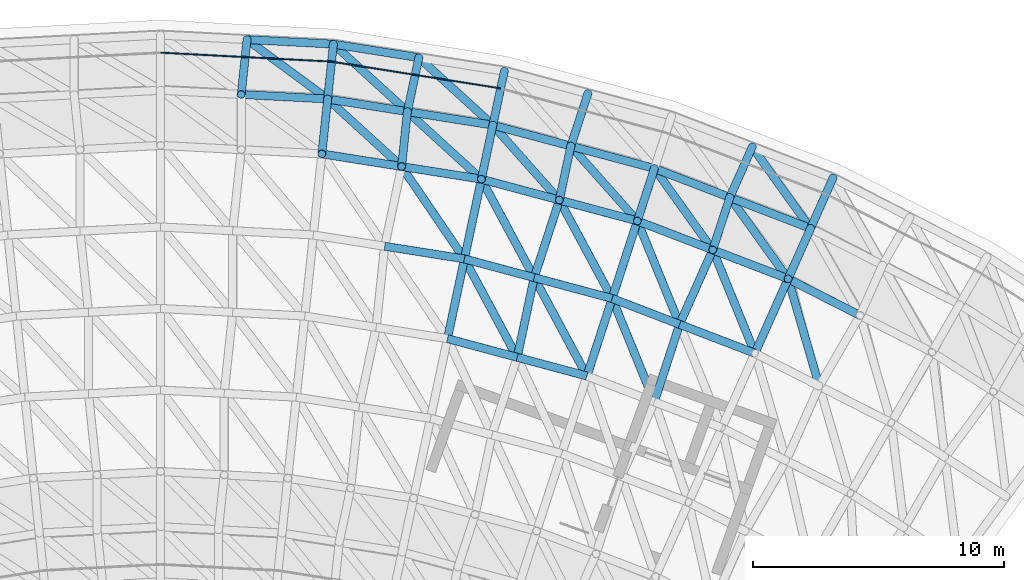
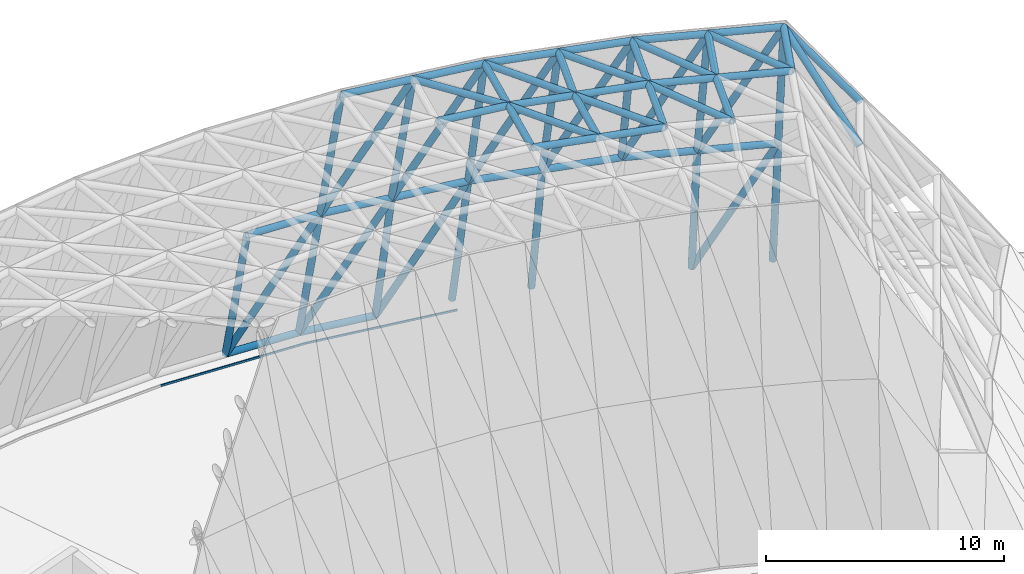
# One storey, part 9 of 20: 67 members.
"""IFC4 building model written with IfcOpenShell, lengths in metres."""

from ifc_helpers import new_model, si_unit, direction, frame, origin, origin_2d, place, context, subcontext, project, spatial, rectangle, hollow_circle, extrude, material, material_profile, profile_set, type_object, element, save


model = new_model("IFC4")

# Units and contexts
model_context = context("Model", 3, precision=1e-05, world=origin(), true_north=direction((0.0, 1.0)))
body_context = subcontext(model_context, "Body", "Model", "MODEL_VIEW")
ifc_project = project(units=[si_unit("LENGTHUNIT", "METRE"), si_unit("AREAUNIT", "SQUARE_METRE"), si_unit("VOLUMEUNIT", "CUBIC_METRE"), si_unit("PLANEANGLEUNIT", "RADIAN"), si_unit("MASSUNIT", "GRAM", prefix="KILO")], contexts=[model_context])

# Site, building, storey
site_placement = place(None, origin())
site = spatial("IfcSite", under=ifc_project, at=site_placement, CompositionType="ELEMENT")
building_placement = place(site_placement, origin())
building = spatial("IfcBuilding", under=site, at=building_placement, Name="Stone Belt Terrace Tower", CompositionType="ELEMENT")
storey_placement = place(building_placement, frame((0.0, 0.0, 337.39990234375)))
storey = spatial("IfcBuildingStorey", under=building, at=storey_placement, Name="RF", CompositionType="ELEMENT", Elevation=337.39990234375)

# Members
ifc_material_1 = material(Name="Structural steel C345", Category="steel")
ifc_material_profile_1 = material_profile(ifc_material_1, hollow_circle(Radius=0.16259765625, WallThickness=0.011962890625, at=origin_2d()), Name="Structural steel C345 CHS 325x12")
ifc_profile_set_1 = profile_set([ifc_material_profile_1], Name="Structural steel C345")
member_type_1 = type_object("IfcMemberType", Name="Crown frame tube CHS 325 x 12", PredefinedType="RAFTER", material=ifc_profile_set_1)
member_1_placement = place(storey_placement, frame((3.444091796875, 65.71875, 0.16259765625), z_axis=(-0.029393544043, -0.279879016602, 0.959585199779), x_axis=(0.99453036095, -0.104447887238, 0.0)))
element("IfcMember", 1, at=member_1_placement, inside=storey, type_object=member_type_1, Name="CROWN FRAME rafter 326", PredefinedType="RAFTER", context=body_context, shape_type="SweptSolid", body=[
    extrude(hollow_circle(Radius=0.16259765625, WallThickness=0.011962890625, at=origin_2d()), origin(), (0.0, 0.0, 1.0), 7.81591796875),
])
member_2_placement = place(storey_placement, frame((3.444091796875, 65.71875, 0.16259765625), z_axis=(0.378315846813, -0.278722749057, 0.882717819695), x_axis=(0.593148975652, 0.805092723034, 0.0)))
element("IfcMember", 2, at=member_2_placement, inside=storey, type_object=member_type_1, Name="CROWN FRAME rafter 328", PredefinedType="RAFTER", context=body_context, shape_type="SweptSolid", body=[
    extrude(hollow_circle(Radius=0.16259765625, WallThickness=0.011962890625, at=origin_2d()), origin(), (0.0, 0.0, 1.0), 8.49658203125),
])
member_3_placement = place(storey_placement, frame((6.888427734375, 65.5380859375, 0.16259765625), z_axis=(-0.029424753509, -0.279878759495, 0.959584318267), x_axis=(0.994518825066, -0.104557671117, 0.0)))
element("IfcMember", 3, at=member_3_placement, inside=storey, type_object=member_type_1, Name="CROWN FRAME rafter 332", PredefinedType="RAFTER", context=body_context, shape_type="SweptSolid", body=[
    extrude(hollow_circle(Radius=0.16259765625, WallThickness=0.011962890625, at=origin_2d()), origin(), (0.0, 0.0, 1.0), 7.81591796875),
])
member_4_placement = place(storey_placement, frame((6.888427734375, 65.5380859375, 0.16259765625), z_axis=(0.347088368747, -0.316715622181, 0.882734885992), x_axis=(0.674047474307, 0.738688027777, 0.0)))
element("IfcMember", 4, at=member_4_placement, inside=storey, type_object=member_type_1, Name="CROWN FRAME rafter 334", PredefinedType="RAFTER", context=body_context, shape_type="SweptSolid", body=[
    extrude(hollow_circle(Radius=0.16259765625, WallThickness=0.011962890625, at=origin_2d()), origin(), (0.0, 0.0, 1.0), 8.496337890625),
])
member_5_placement = place(storey_placement, frame((6.658447265625, 63.3505859375, 7.66259765625), z_axis=(-0.029424753509, -0.279878759495, 0.959584318267), x_axis=(0.994518825066, -0.104557671117, 0.0)))
element("IfcMember", 5, at=member_5_placement, inside=storey, type_object=member_type_1, Name="CROWN FRAME rafter 335", PredefinedType="RAFTER", context=body_context, shape_type="SweptSolid", body=[
    extrude(hollow_circle(Radius=0.16259765625, WallThickness=0.011962890625, at=origin_2d()), origin(), (0.0, 0.0, 1.0), 7.81591796875),
])
member_6_placement = place(storey_placement, frame((6.658447265625, 63.3505859375, 7.66259765625), z_axis=(0.347088368747, -0.316715622181, 0.882734885992), x_axis=(0.674047474307, 0.738688027777, 0.0)))
element("IfcMember", 6, at=member_6_placement, inside=storey, type_object=member_type_1, Name="CROWN FRAME rafter 337", PredefinedType="RAFTER", context=body_context, shape_type="SweptSolid", body=[
    extrude(hollow_circle(Radius=0.16259765625, WallThickness=0.011962890625, at=origin_2d()), origin(), (0.0, 0.0, 1.0), 8.496337890625),
])
member_7_placement = place(storey_placement, frame((10.294677734375, 64.99853515625, 0.16259765625), z_axis=(-0.058506176763, -0.275257036644, 0.959588761428), x_axis=(0.978148693799, -0.207906548285, 0.0)))
element("IfcMember", 7, at=member_7_placement, inside=storey, type_object=member_type_1, Name="CROWN FRAME rafter 376", PredefinedType="RAFTER", context=body_context, shape_type="SweptSolid", body=[
    extrude(hollow_circle(Radius=0.16259765625, WallThickness=0.011962890625, at=origin_2d()), origin(), (0.0, 0.0, 1.0), 7.81591796875),
])
member_8_placement = place(storey_placement, frame((10.294677734375, 64.99853515625, 0.16259765625), z_axis=(0.34711364153, -0.316712463323, 0.882726081771), x_axis=(0.674017025507, 0.738715810935, 0.0)))
element("IfcMember", 8, at=member_8_placement, inside=storey, type_object=member_type_1, Name="CROWN FRAME rafter 378", PredefinedType="RAFTER", context=body_context, shape_type="SweptSolid", body=[
    extrude(hollow_circle(Radius=0.16259765625, WallThickness=0.011962890625, at=origin_2d()), origin(), (0.0, 0.0, 1.0), 8.496337890625),
])
member_9_placement = place(storey_placement, frame((9.83740234375, 62.84716796875, 7.66259765625), z_axis=(0.347110482488, -0.316738315271, 0.882718048182), x_axis=(0.674050394139, 0.73868536344, 0.0)))
element("IfcMember", 9, at=member_9_placement, inside=storey, type_object=member_type_1, Name="CROWN FRAME rafter 380", PredefinedType="RAFTER", context=body_context, shape_type="SweptSolid", body=[
    extrude(hollow_circle(Radius=0.16259765625, WallThickness=0.011962890625, at=origin_2d()), origin(), (0.0, 0.0, 1.0), 8.49658203125),
])
for number, where, z_axis, x_axis, name in (
    (10, (9.83740234375, 62.84716796875, 7.66259765625), (-0.029424753509, -0.279878759495, 0.959584318267), (0.994518825066, -0.104557671117, 0.0), "CROWN FRAME rafter 381"),
    (11, (13.701171875, 64.459228515625, 0.16259765625), (-0.058505673699, -0.275285906198, 0.959580510428), (0.978153491089, -0.207883976944, 0.0), "CROWN FRAME rafter 382"),
    (12, (13.243896484375, 62.3076171875, 7.66259765625), (-0.058505673699, -0.275285906198, 0.959580510428), (0.978153491089, -0.207883976944, 0.0), "CROWN FRAME rafter 385"),
):
    element("IfcMember", number, at=place(storey_placement, frame(where, z_axis=z_axis, x_axis=x_axis)), inside=storey, type_object=member_type_1, Name=name, PredefinedType="RAFTER", context=body_context, shape_type="SweptSolid", body=[
        extrude(hollow_circle(Radius=0.16259765625, WallThickness=0.011962890625, at=origin_2d()), origin(), (0.0, 0.0, 1.0), 7.81591796875),
    ])
member_10_placement = place(storey_placement, frame((13.243896484375, 62.3076171875, 7.66259765625), z_axis=(0.312086060245, -0.351280000598, 0.882725694755), x_axis=(0.747581362269, 0.664170239313, 0.0)))
element("IfcMember", 13, at=member_10_placement, inside=storey, type_object=member_type_1, Name="CROWN FRAME rafter 387", PredefinedType="RAFTER", context=body_context, shape_type="SweptSolid", body=[
    extrude(hollow_circle(Radius=0.16259765625, WallThickness=0.011962890625, at=origin_2d()), origin(), (0.0, 0.0, 1.0), 8.496337890625),
])
member_11_placement = place(storey_placement, frame((17.032470703125, 63.56640625, 0.16259765625), z_axis=(-0.086962654841, -0.267635067053, 0.959587915486), x_axis=(0.951053644102, -0.309025833938, 0.0)))
element("IfcMember", 14, at=member_11_placement, inside=storey, type_object=member_type_1, Name="CROWN FRAME rafter 426", PredefinedType="RAFTER", context=body_context, shape_type="SweptSolid", body=[
    extrude(hollow_circle(Radius=0.16259765625, WallThickness=0.011962890625, at=origin_2d()), origin(), (0.0, 0.0, 1.0), 7.81591796875),
])
member_12_placement = place(storey_placement, frame((16.352783203125, 61.474609375, 7.66259765625), z_axis=(0.312111995776, -0.351276850337, 0.882717778517), x_axis=(0.747550999525, 0.664204413648, 0.0)))
element("IfcMember", 15, at=member_12_placement, inside=storey, type_object=member_type_1, Name="CROWN FRAME rafter 430", PredefinedType="RAFTER", context=body_context, shape_type="SweptSolid", body=[
    extrude(hollow_circle(Radius=0.16259765625, WallThickness=0.011962890625, at=origin_2d()), origin(), (0.0, 0.0, 1.0), 8.49658203125),
])
for number, where, z_axis, x_axis, name in (
    (16, (16.352783203125, 61.474609375, 7.66259765625), (-0.058505673699, -0.275285906198, 0.959580510428), (0.978153491089, -0.207883976944, 0.0), "CROWN FRAME rafter 431"),
    (17, (19.684326171875, 60.581787109375, 7.66259765625), (-0.086962654841, -0.267635067053, 0.959587915486), (0.951053644102, -0.309025833938, 0.0), "CROWN FRAME rafter 435"),
):
    element("IfcMember", number, at=place(storey_placement, frame(where, z_axis=z_axis, x_axis=x_axis)), inside=storey, type_object=member_type_1, Name=name, PredefinedType="RAFTER", context=body_context, shape_type="SweptSolid", body=[
        extrude(hollow_circle(Radius=0.16259765625, WallThickness=0.011962890625, at=origin_2d()), origin(), (0.0, 0.0, 1.0), 7.81591796875),
    ])
member_13_placement = place(storey_placement, frame((19.684326171875, 60.581787109375, 7.66259765625), z_axis=(0.273668124866, -0.381968750928, 0.882726249042), x_axis=(0.812893849535, 0.582411872637, 0.0)))
element("IfcMember", 18, at=member_13_placement, inside=storey, type_object=member_type_1, Name="CROWN FRAME rafter 437", PredefinedType="RAFTER", context=body_context, shape_type="SweptSolid", body=[
    extrude(hollow_circle(Radius=0.16259765625, WallThickness=0.011962890625, at=origin_2d()), origin(), (0.0, 0.0, 1.0), 8.496337890625),
])
member_14_placement = place(storey_placement, frame((23.583740234375, 61.43798828125, 0.16259765625), z_axis=(-0.114450125757, -0.257106709908, 0.959581840405), x_axis=(0.913573388708, -0.406673903077, 0.0)))
element("IfcMember", 19, at=member_14_placement, inside=storey, type_object=member_type_1, Name="CROWN FRAME rafter 476", PredefinedType="RAFTER", context=body_context, shape_type="SweptSolid", body=[
    extrude(hollow_circle(Radius=0.16259765625, WallThickness=0.011962890625, at=origin_2d()), origin(), (0.0, 0.0, 1.0), 7.81591796875),
])
member_15_placement = place(storey_placement, frame((23.583740234375, 61.43798828125, 0.16259765625), z_axis=(0.2736651211, -0.381993292724, 0.882716560288), x_axis=(0.812914590974, 0.582382921952, 0.0)))
element("IfcMember", 20, at=member_15_placement, inside=storey, type_object=member_type_1, Name="CROWN FRAME rafter 478", PredefinedType="RAFTER", context=body_context, shape_type="SweptSolid", body=[
    extrude(hollow_circle(Radius=0.16259765625, WallThickness=0.011962890625, at=origin_2d()), origin(), (0.0, 0.0, 1.0), 8.49658203125),
])
member_16_placement = place(storey_placement, frame((22.689208984375, 59.428466796875, 7.66259765625), z_axis=(0.273668124866, -0.381968750928, 0.882726249042), x_axis=(0.812893849535, 0.582411872637, 0.0)))
element("IfcMember", 21, at=member_16_placement, inside=storey, type_object=member_type_1, Name="CROWN FRAME rafter 480", PredefinedType="RAFTER", context=body_context, shape_type="SweptSolid", body=[
    extrude(hollow_circle(Radius=0.16259765625, WallThickness=0.011962890625, at=origin_2d()), origin(), (0.0, 0.0, 1.0), 8.496337890625),
])
for number, where, z_axis, x_axis, name in (
    (22, (22.689208984375, 59.428466796875, 7.66259765625), (-0.086961927799, -0.267664065845, 0.959579892958), (0.951064242649, -0.30899321409, 0.0), "CROWN FRAME rafter 481"),
    (23, (26.8037109375, 60.201904296875, 0.16259765625), (-0.114480952819, -0.257105790629, 0.959578409442), (0.913532149489, -0.406766532363, 0.0), "CROWN FRAME rafter 482"),
    (24, (25.908935546875, 58.1923828125, 7.66259765625), (-0.114451044871, -0.257077538014, 0.959589546513), (0.913555029688, -0.406715143229, 0.0), "CROWN FRAME rafter 485"),
):
    element("IfcMember", number, at=place(storey_placement, frame(where, z_axis=z_axis, x_axis=x_axis)), inside=storey, type_object=member_type_1, Name=name, PredefinedType="RAFTER", context=body_context, shape_type="SweptSolid", body=[
        extrude(hollow_circle(Radius=0.16259765625, WallThickness=0.011962890625, at=origin_2d()), origin(), (0.0, 0.0, 1.0), 7.81591796875),
    ])
member_17_placement = place(storey_placement, frame((25.014404296875, 56.18310546875, 15.16259765625), z_axis=(0.563600975612, -0.287198045459, -0.774513539568), x_axis=(0.454026902189, 0.890987975277, 0.0)))
element("IfcMember", 25, at=member_17_placement, inside=storey, type_object=member_type_1, Name="CROWN FRAME rafter 490", PredefinedType="RAFTER", context=body_context, shape_type="SweptSolid", body=[
    extrude(hollow_circle(Radius=0.16259765625, WallThickness=0.011962890625, at=origin_2d()), origin(), (0.0, 0.0, 1.0), 5.088623046875),
])
member_18_placement = place(storey_placement, frame((25.014404296875, 56.18310546875, 15.16259765625), z_axis=(0.208978126982, -0.719065405886, -0.662776798403), x_axis=(0.96026852438, 0.279077697219, 0.0)))
element("IfcMember", 26, at=member_18_placement, inside=storey, type_object=member_type_1, Name="CROWN FRAME rafter 491", PredefinedType="RAFTER", context=body_context, shape_type="SweptSolid", body=[
    extrude(hollow_circle(Radius=0.16259765625, WallThickness=0.011962890625, at=origin_2d()), origin(), (0.0, 0.0, 1.0), 5.946533203125),
])
ifc_material_profile_2 = material_profile(ifc_material_1, hollow_circle(Radius=0.16259765625, WallThickness=0.011962890625, at=origin_2d()), Name="Structural steel C345 CHS 325x12")
ifc_profile_set_2 = profile_set([ifc_material_profile_2], Name="Structural steel C345")
member_type_2 = type_object("IfcMemberType", Name="Crown ring and ridge tube CHS 325 x 12", PredefinedType="CHORD", material=ifc_profile_set_2)
member_19_placement = place(storey_placement, frame((3.444091796875, 65.71875, 0.16259765625), z_axis=(0.998627199195, -0.052380502368, 0.0), x_axis=(0.052380502368, 0.998627199195, 0.0)))
element("IfcMember", 27, at=member_19_placement, inside=storey, type_object=member_type_2, Name="CROWN FRAME ring beam 327", PredefinedType="CHORD", context=body_context, shape_type="SweptSolid", body=[
    extrude(hollow_circle(Radius=0.16259765625, WallThickness=0.011962890625, at=origin_2d()), origin(), (0.0, 0.0, 1.0), 3.448974609375),
])
for number, where, z_axis, x_axis, name in (
    (28, (3.21435546875, 63.53125, 7.66259765625), (0.998627004962, -0.052384205265, 0.0), (0.052384205265, 0.998627004962, 0.0), "CROWN FRAME cap beam 329"),
    (29, (6.888427734375, 65.5380859375, 0.16259765625), (0.987685930979, -0.156449678001, 0.0), (0.156449678001, 0.987685930979, 0.0), "CROWN FRAME ring beam 333"),
):
    element("IfcMember", number, at=place(storey_placement, frame(where, z_axis=z_axis, x_axis=x_axis)), inside=storey, type_object=member_type_2, Name=name, PredefinedType="CHORD", context=body_context, shape_type="SweptSolid", body=[
        extrude(hollow_circle(Radius=0.16259765625, WallThickness=0.011962890625, at=origin_2d()), origin(), (0.0, 0.0, 1.0), 3.44873046875),
    ])
for number, where, z_axis, x_axis, name in (
    (30, (6.658447265625, 63.3505859375, 7.66259765625), (0.987692135228, -0.156410504788, 0.0), (0.156410504788, 0.987692135228, 0.0), "CROWN FRAME cap beam 336"),
    (31, (6.428466796875, 61.1630859375, 15.16259765625), (0.987692135228, -0.156410504788, 0.0), (0.156410504788, 0.987692135228, 0.0), "CROWN FRAME cap beam 340"),
):
    element("IfcMember", number, at=place(storey_placement, frame(where, z_axis=z_axis, x_axis=x_axis)), inside=storey, type_object=member_type_2, Name=name, PredefinedType="CHORD", context=body_context, shape_type="SweptSolid", body=[
        extrude(hollow_circle(Radius=0.16259765625, WallThickness=0.011962890625, at=origin_2d()), origin(), (0.0, 0.0, 1.0), 3.218505859375),
    ])
member_20_placement = place(storey_placement, frame((9.83740234375, 62.84716796875, 7.66259765625), z_axis=(0.987687663531, -0.156438739798, 0.0), x_axis=(0.156438739798, 0.987687663531, 0.0)))
element("IfcMember", 32, at=member_20_placement, inside=storey, type_object=member_type_2, Name="CROWN FRAME cap beam 379", PredefinedType="CHORD", context=body_context, shape_type="SweptSolid", body=[
    extrude(hollow_circle(Radius=0.16259765625, WallThickness=0.011962890625, at=origin_2d()), origin(), (0.0, 0.0, 1.0), 3.448974609375),
])
member_21_placement = place(storey_placement, frame((13.243896484375, 62.3076171875, 7.66259765625), z_axis=(0.96592705922, -0.258814443699, 0.0), x_axis=(0.258814443699, 0.96592705922, 0.0)))
element("IfcMember", 33, at=member_21_placement, inside=storey, type_object=member_type_2, Name="CROWN FRAME cap beam 386", PredefinedType="CHORD", context=body_context, shape_type="SweptSolid", body=[
    extrude(hollow_circle(Radius=0.16259765625, WallThickness=0.011962890625, at=origin_2d()), origin(), (0.0, 0.0, 1.0), 3.218505859375),
])
member_22_placement = place(storey_placement, frame((12.78662109375, 60.156005859375, 15.16259765625), z_axis=(-0.987682271522, 0.156472778847, 0.0), x_axis=(-0.156472778847, -0.987682271522, 0.0)))
element("IfcMember", 34, at=member_22_placement, inside=storey, type_object=member_type_2, Name="CROWN FRAME cap beam 388", PredefinedType="CHORD", context=body_context, shape_type="SweptSolid", body=[
    extrude(hollow_circle(Radius=0.16259765625, WallThickness=0.011962890625, at=origin_2d()), origin(), (0.0, 0.0, 1.0), 3.21875),
])
member_23_placement = place(storey_placement, frame((12.78662109375, 60.156005859375, 15.16259765625), z_axis=(-0.207933325345, -0.978143001923, 0.0), x_axis=(0.978143001923, -0.207933325345, 0.0)))
element("IfcMember", 35, at=member_23_placement, inside=storey, type_object=member_type_2, Name="CROWN FRAME cap beam 389", PredefinedType="CHORD", context=body_context, shape_type="SweptSolid", body=[
    extrude(hollow_circle(Radius=0.16259765625, WallThickness=0.011962890625, at=origin_2d()), origin(), (0.0, 0.0, 1.0), 3.25),
])
member_24_placement = place(storey_placement, frame((12.78662109375, 60.156005859375, 15.16259765625), z_axis=(0.96592705922, -0.258814443699, 0.0), x_axis=(0.258814443699, 0.96592705922, 0.0)))
element("IfcMember", 36, at=member_24_placement, inside=storey, type_object=member_type_2, Name="CROWN FRAME cap beam 390", PredefinedType="CHORD", context=body_context, shape_type="SweptSolid", body=[
    extrude(hollow_circle(Radius=0.16259765625, WallThickness=0.011962890625, at=origin_2d()), origin(), (0.0, 0.0, 1.0), 3.218505859375),
])
member_25_placement = place(storey_placement, frame((12.78662109375, 60.156005859375, 15.16259765625), z_axis=(0.472689982521, -0.881228790056, 0.0), x_axis=(0.881228790056, 0.472689982521, 0.0)))
element("IfcMember", 37, at=member_25_placement, inside=storey, type_object=member_type_2, Name="CROWN FRAME cap beam 391", PredefinedType="CHORD", context=body_context, shape_type="SweptSolid", body=[
    extrude(hollow_circle(Radius=0.16259765625, WallThickness=0.011962890625, at=origin_2d()), origin(), (0.0, 0.0, 1.0), 4.45263671875),
])
member_26_placement = place(storey_placement, frame((9.607421875, 60.65966796875, 15.16259765625), z_axis=(0.562193044144, -0.82700603451, 0.0), x_axis=(0.82700603451, 0.562193044144, 0.0)))
element("IfcMember", 38, at=member_26_placement, inside=storey, type_object=member_type_2, Name="CROWN FRAME cap beam 393", PredefinedType="CHORD", context=body_context, shape_type="SweptSolid", body=[
    extrude(hollow_circle(Radius=0.16259765625, WallThickness=0.011962890625, at=origin_2d()), origin(), (0.0, 0.0, 1.0), 4.452880859375),
])
member_27_placement = place(storey_placement, frame((8.931884765625, 57.480712890625, 15.16259765625), z_axis=(0.987680414291, -0.15648450155, 0.0), x_axis=(0.15648450155, 0.987680414291, 0.0)))
element("IfcMember", 39, at=member_27_placement, inside=storey, type_object=member_type_2, Name="CROWN FRAME cap beam 394", PredefinedType="CHORD", context=body_context, shape_type="SweptSolid", body=[
    extrude(hollow_circle(Radius=0.16259765625, WallThickness=0.011962890625, at=origin_2d()), origin(), (0.0, 0.0, 1.0), 3.218505859375),
])
member_28_placement = place(storey_placement, frame((12.11083984375, 56.97705078125, 15.16259765625), z_axis=(-0.207933325345, -0.978143001923, 0.0), x_axis=(0.978143001923, -0.207933325345, 0.0)))
element("IfcMember", 40, at=member_28_placement, inside=storey, type_object=member_type_2, Name="CROWN FRAME cap beam 397", PredefinedType="CHORD", context=body_context, shape_type="SweptSolid", body=[
    extrude(hollow_circle(Radius=0.16259765625, WallThickness=0.011962890625, at=origin_2d()), origin(), (0.0, 0.0, 1.0), 3.25),
])
member_29_placement = place(storey_placement, frame((12.11083984375, 56.97705078125, 15.16259765625), z_axis=(0.965940102155, -0.258765760969, 0.0), x_axis=(0.258765760969, 0.965940102155, 0.0)))
element("IfcMember", 41, at=member_29_placement, inside=storey, type_object=member_type_2, Name="CROWN FRAME cap beam 398", PredefinedType="CHORD", context=body_context, shape_type="SweptSolid", body=[
    extrude(hollow_circle(Radius=0.16259765625, WallThickness=0.011962890625, at=origin_2d()), origin(), (0.0, 0.0, 1.0), 2.878662109375),
])
member_30_placement = place(storey_placement, frame((12.11083984375, 56.97705078125, 15.16259765625), z_axis=(0.472689982521, -0.881228790056, 0.0), x_axis=(0.881228790056, 0.472689982521, 0.0)))
element("IfcMember", 42, at=member_30_placement, inside=storey, type_object=member_type_2, Name="CROWN FRAME cap beam 399", PredefinedType="CHORD", context=body_context, shape_type="SweptSolid", body=[
    extrude(hollow_circle(Radius=0.16259765625, WallThickness=0.011962890625, at=origin_2d()), origin(), (0.0, 0.0, 1.0), 4.45263671875),
])
member_31_placement = place(storey_placement, frame((11.43505859375, 53.798095703125, 15.16259765625), z_axis=(0.965940102155, -0.258765760969, 0.0), x_axis=(0.258765760969, 0.965940102155, 0.0)))
element("IfcMember", 43, at=member_31_placement, inside=storey, type_object=member_type_2, Name="CROWN FRAME cap beam 402", PredefinedType="CHORD", context=body_context, shape_type="SweptSolid", body=[
    extrude(hollow_circle(Radius=0.16259765625, WallThickness=0.011962890625, at=origin_2d()), origin(), (0.0, 0.0, 1.0), 2.878662109375),
])
member_32_placement = place(storey_placement, frame((16.352783203125, 61.474609375, 7.66259765625), z_axis=(0.965915821691, -0.258856379886, 0.0), x_axis=(0.258856379886, 0.965915821691, 0.0)))
element("IfcMember", 44, at=member_32_placement, inside=storey, type_object=member_type_2, Name="CROWN FRAME cap beam 429", PredefinedType="CHORD", context=body_context, shape_type="SweptSolid", body=[
    extrude(hollow_circle(Radius=0.16259765625, WallThickness=0.011962890625, at=origin_2d()), origin(), (0.0, 0.0, 1.0), 3.44921875),
])
member_33_placement = place(storey_placement, frame((19.684326171875, 60.581787109375, 7.66259765625), z_axis=(0.933595615307, -0.358328378836, 0.0), x_axis=(0.358328378836, 0.933595615307, 0.0)))
element("IfcMember", 45, at=member_33_placement, inside=storey, type_object=member_type_2, Name="CROWN FRAME cap beam 436", PredefinedType="CHORD", context=body_context, shape_type="SweptSolid", body=[
    extrude(hollow_circle(Radius=0.16259765625, WallThickness=0.011962890625, at=origin_2d()), origin(), (0.0, 0.0, 1.0), 3.218505859375),
])
member_34_placement = place(storey_placement, frame((19.004638671875, 58.489990234375, 15.16259765625), z_axis=(-0.965932139747, 0.258795481807, 0.0), x_axis=(-0.258795481807, -0.965932139747, 0.0)))
element("IfcMember", 46, at=member_34_placement, inside=storey, type_object=member_type_2, Name="CROWN FRAME cap beam 438", PredefinedType="CHORD", context=body_context, shape_type="SweptSolid", body=[
    extrude(hollow_circle(Radius=0.16259765625, WallThickness=0.011962890625, at=origin_2d()), origin(), (0.0, 0.0, 1.0), 3.21875),
])
member_35_placement = place(storey_placement, frame((19.004638671875, 58.489990234375, 15.16259765625), z_axis=(-0.309030020915, -0.951052283617, 0.0), x_axis=(0.951052283617, -0.309030020915, 0.0)))
element("IfcMember", 47, at=member_35_placement, inside=storey, type_object=member_type_2, Name="CROWN FRAME cap beam 439", PredefinedType="CHORD", context=body_context, shape_type="SweptSolid", body=[
    extrude(hollow_circle(Radius=0.16259765625, WallThickness=0.011962890625, at=origin_2d()), origin(), (0.0, 0.0, 1.0), 3.250244140625),
])
member_36_placement = place(storey_placement, frame((19.004638671875, 58.489990234375, 15.16259765625), z_axis=(0.933570238348, -0.358394489454, 0.0), x_axis=(0.358394489454, 0.933570238348, 0.0)))
element("IfcMember", 48, at=member_36_placement, inside=storey, type_object=member_type_2, Name="CROWN FRAME cap beam 440", PredefinedType="CHORD", context=body_context, shape_type="SweptSolid", body=[
    extrude(hollow_circle(Radius=0.16259765625, WallThickness=0.011962890625, at=origin_2d()), origin(), (0.0, 0.0, 1.0), 3.21875),
])
member_37_placement = place(storey_placement, frame((19.004638671875, 58.489990234375, 15.16259765625), z_axis=(0.377932485894, -0.925833157813, 0.0), x_axis=(0.925833157813, 0.377932485894, 0.0)))
element("IfcMember", 49, at=member_37_placement, inside=storey, type_object=member_type_2, Name="CROWN FRAME cap beam 441", PredefinedType="CHORD", context=body_context, shape_type="SweptSolid", body=[
    extrude(hollow_circle(Radius=0.16259765625, WallThickness=0.011962890625, at=origin_2d()), origin(), (0.0, 0.0, 1.0), 4.452880859375),
])
member_38_placement = place(storey_placement, frame((15.8955078125, 59.322998046875, 15.16259765625), z_axis=(-0.308984150214, -0.951067187383, 0.0), x_axis=(0.951067187383, -0.308984150214, 0.0)))
element("IfcMember", 50, at=member_38_placement, inside=storey, type_object=member_type_2, Name="CROWN FRAME cap beam 442", PredefinedType="CHORD", context=body_context, shape_type="SweptSolid", body=[
    extrude(hollow_circle(Radius=0.16259765625, WallThickness=0.011962890625, at=origin_2d()), origin(), (0.0, 0.0, 1.0), 3.249755859375),
])
member_39_placement = place(storey_placement, frame((15.8955078125, 59.322998046875, 15.16259765625), z_axis=(0.472667144111, -0.881241040169, 0.0), x_axis=(0.881241040169, 0.472667144111, 0.0)))
element("IfcMember", 51, at=member_39_placement, inside=storey, type_object=member_type_2, Name="CROWN FRAME cap beam 443", PredefinedType="CHORD", context=body_context, shape_type="SweptSolid", body=[
    extrude(hollow_circle(Radius=0.16259765625, WallThickness=0.011962890625, at=origin_2d()), origin(), (0.0, 0.0, 1.0), 4.452880859375),
])
member_40_placement = place(storey_placement, frame((14.891357421875, 56.232177734375, 15.16259765625), z_axis=(0.965908093769, -0.258885214703, 0.0), x_axis=(0.258885214703, 0.965908093769, 0.0)))
element("IfcMember", 52, at=member_40_placement, inside=storey, type_object=member_type_2, Name="CROWN FRAME cap beam 444", PredefinedType="CHORD", context=body_context, shape_type="SweptSolid", body=[
    extrude(hollow_circle(Radius=0.16259765625, WallThickness=0.011962890625, at=origin_2d()), origin(), (0.0, 0.0, 1.0), 3.218505859375),
])
member_41_placement = place(storey_placement, frame((14.891357421875, 56.232177734375, 15.16259765625), z_axis=(0.472624564266, -0.881263877197, 0.0), x_axis=(0.881263877197, 0.472624564266, 0.0)))
element("IfcMember", 53, at=member_41_placement, inside=storey, type_object=member_type_2, Name="CROWN FRAME cap beam 445", PredefinedType="CHORD", context=body_context, shape_type="SweptSolid", body=[
    extrude(hollow_circle(Radius=0.16259765625, WallThickness=0.011962890625, at=origin_2d()), origin(), (0.0, 0.0, 1.0), 4.452880859375),
])
for number, where, z_axis, x_axis, name in (
    (54, (14.891357421875, 56.232177734375, 15.16259765625), (-0.207933325345, -0.978143001923, 0.0), (0.978143001923, -0.207933325345, 0.0), "CROWN FRAME cap beam 446"),
    (55, (18.000244140625, 55.39892578125, 15.16259765625), (-0.309052099479, -0.951045109239, 0.0), (0.951045109239, -0.309052099479, 0.0), "CROWN FRAME cap beam 447"),
):
    element("IfcMember", number, at=place(storey_placement, frame(where, z_axis=z_axis, x_axis=x_axis)), inside=storey, type_object=member_type_2, Name=name, PredefinedType="CHORD", context=body_context, shape_type="SweptSolid", body=[
        extrude(hollow_circle(Radius=0.16259765625, WallThickness=0.011962890625, at=origin_2d()), origin(), (0.0, 0.0, 1.0), 3.25),
    ])
member_42_placement = place(storey_placement, frame((18.000244140625, 55.39892578125, 15.16259765625), z_axis=(0.933585858699, -0.358353797856, 0.0), x_axis=(0.358353797856, 0.933585858699, 0.0)))
element("IfcMember", 56, at=member_42_placement, inside=storey, type_object=member_type_2, Name="CROWN FRAME cap beam 448", PredefinedType="CHORD", context=body_context, shape_type="SweptSolid", body=[
    extrude(hollow_circle(Radius=0.16259765625, WallThickness=0.011962890625, at=origin_2d()), origin(), (0.0, 0.0, 1.0), 2.87841796875),
])
member_43_placement = place(storey_placement, frame((18.000244140625, 55.39892578125, 15.16259765625), z_axis=(0.377951671393, -0.925825325907, 0.0), x_axis=(0.925825325907, 0.377951671393, 0.0)))
element("IfcMember", 57, at=member_43_placement, inside=storey, type_object=member_type_2, Name="CROWN FRAME cap beam 449", PredefinedType="CHORD", context=body_context, shape_type="SweptSolid", body=[
    extrude(hollow_circle(Radius=0.16259765625, WallThickness=0.011962890625, at=origin_2d()), origin(), (0.0, 0.0, 1.0), 4.45263671875),
])
member_44_placement = place(storey_placement, frame((16.995849609375, 52.30810546875, 15.16259765625), z_axis=(-0.965913216943, 0.258866099237, 0.0), x_axis=(-0.258866099237, -0.965913216943, 0.0)))
element("IfcMember", 58, at=member_44_placement, inside=storey, type_object=member_type_2, Name="CROWN FRAME cap beam 450", PredefinedType="CHORD", context=body_context, shape_type="SweptSolid", body=[
    extrude(hollow_circle(Radius=0.16259765625, WallThickness=0.011962890625, at=origin_2d()), origin(), (0.0, 0.0, 1.0), 2.87841796875),
])
member_45_placement = place(storey_placement, frame((22.689208984375, 59.428466796875, 7.66259765625), z_axis=(0.933566189429, -0.358405036175, 0.0), x_axis=(0.358405036175, 0.933566189429, 0.0)))
element("IfcMember", 59, at=member_45_placement, inside=storey, type_object=member_type_2, Name="CROWN FRAME cap beam 479", PredefinedType="CHORD", context=body_context, shape_type="SweptSolid", body=[
    extrude(hollow_circle(Radius=0.16259765625, WallThickness=0.011962890625, at=origin_2d()), origin(), (0.0, 0.0, 1.0), 3.44873046875),
])
member_46_placement = place(storey_placement, frame((25.014404296875, 56.18310546875, 15.16259765625), z_axis=(-0.933595615307, 0.358328378836, 0.0), x_axis=(-0.358328378836, -0.933595615307, 0.0)))
element("IfcMember", 60, at=member_46_placement, inside=storey, type_object=member_type_2, Name="CROWN FRAME cap beam 488", PredefinedType="CHORD", context=body_context, shape_type="SweptSolid", body=[
    extrude(hollow_circle(Radius=0.16259765625, WallThickness=0.011962890625, at=origin_2d()), origin(), (0.0, 0.0, 1.0), 3.218505859375),
])
for number, where, z_axis, x_axis, name in (
    (61, (25.014404296875, 56.18310546875, 15.16259765625), (-0.406772625454, -0.913529436407, 0.0), (0.913529436407, -0.406772625454, 0.0), "CROWN FRAME cap beam 489"),
    (62, (22.009521484375, 57.33642578125, 15.16259765625), (-0.406772625454, -0.913529436407, 0.0), (0.913529436407, -0.406772625454, 0.0), "CROWN FRAME cap beam 492"),
):
    element("IfcMember", number, at=place(storey_placement, frame(where, z_axis=z_axis, x_axis=x_axis)), inside=storey, type_object=member_type_2, Name=name, PredefinedType="CHORD", context=body_context, shape_type="SweptSolid", body=[
        extrude(hollow_circle(Radius=0.16259765625, WallThickness=0.011962890625, at=origin_2d()), origin(), (0.0, 0.0, 1.0), 3.25),
    ])
member_47_placement = place(storey_placement, frame((22.009521484375, 57.33642578125, 15.16259765625), z_axis=(0.377951671393, -0.925825325907, 0.0), x_axis=(0.925825325907, 0.377951671393, 0.0)))
element("IfcMember", 63, at=member_47_placement, inside=storey, type_object=member_type_2, Name="CROWN FRAME cap beam 493", PredefinedType="CHORD", context=body_context, shape_type="SweptSolid", body=[
    extrude(hollow_circle(Radius=0.16259765625, WallThickness=0.011962890625, at=origin_2d()), origin(), (0.0, 0.0, 1.0), 4.45263671875),
])
member_48_placement = place(storey_placement, frame((20.6875, 54.367431640625, 15.16259765625), z_axis=(0.933595615307, -0.358328378836, 0.0), x_axis=(0.358328378836, 0.933595615307, 0.0)))
element("IfcMember", 64, at=member_48_placement, inside=storey, type_object=member_type_2, Name="CROWN FRAME cap beam 494", PredefinedType="CHORD", context=body_context, shape_type="SweptSolid", body=[
    extrude(hollow_circle(Radius=0.16259765625, WallThickness=0.011962890625, at=origin_2d()), origin(), (0.0, 0.0, 1.0), 3.218505859375),
])
member_49_placement = place(storey_placement, frame((20.6875, 54.367431640625, 15.16259765625), z_axis=(-0.309052099479, -0.951045109239, 0.0), x_axis=(0.951045109239, -0.309052099479, 0.0)))
element("IfcMember", 65, at=member_49_placement, inside=storey, type_object=member_type_2, Name="CROWN FRAME cap beam 496", PredefinedType="CHORD", context=body_context, shape_type="SweptSolid", body=[
    extrude(hollow_circle(Radius=0.16259765625, WallThickness=0.011962890625, at=origin_2d()), origin(), (0.0, 0.0, 1.0), 3.25),
])
ifc_material_2 = material(Name="Stainless steel AISI 304", Category="steel")
ifc_material_profile_3 = material_profile(ifc_material_2, rectangle(XDim=0.050048828125, YDim=0.10009765625, at=origin_2d()), Name="Stainless steel AISI 304 100x50")
ifc_profile_set_3 = profile_set([ifc_material_profile_3], Name="Stainless steel AISI 304")
member_type_3 = type_object("IfcMemberType", Name="Snow retention bar 100 x 50", PredefinedType="MEMBER", material=ifc_profile_set_3)
member_50_placement = place(storey_placement, frame((0.0, 65.1982421875, 0.050048828125), z_axis=(0.998629465872, -0.052337270592, 0.0), x_axis=(0.052337270592, 0.998629465872, 0.0)))
element("IfcMember", 66, at=member_50_placement, inside=storey, type_object=member_type_3, Name="SNOW GUARD retention bar outer 7", PredefinedType="MEMBER", context=body_context, shape_type="SweptSolid", body=[
    extrude(rectangle(XDim=0.050048828125, YDim=0.10009765625, at=origin_2d()), origin(), (0.0, 0.0, 1.0), 6.824462890625),
])
member_51_placement = place(storey_placement, frame((6.815185546875, 64.841064453125, 0.050048828125), z_axis=(0.98768655859, -0.156445715761, 0.0), x_axis=(0.156445715761, 0.98768655859, 0.0)))
element("IfcMember", 67, at=member_51_placement, inside=storey, type_object=member_type_3, Name="SNOW GUARD retention bar outer 8", PredefinedType="MEMBER", context=body_context, shape_type="SweptSolid", body=[
    extrude(rectangle(XDim=0.050048828125, YDim=0.10009765625, at=origin_2d()), origin(), (0.0, 0.0, 1.0), 6.82421875),
])

save(model, "model.ifc")
